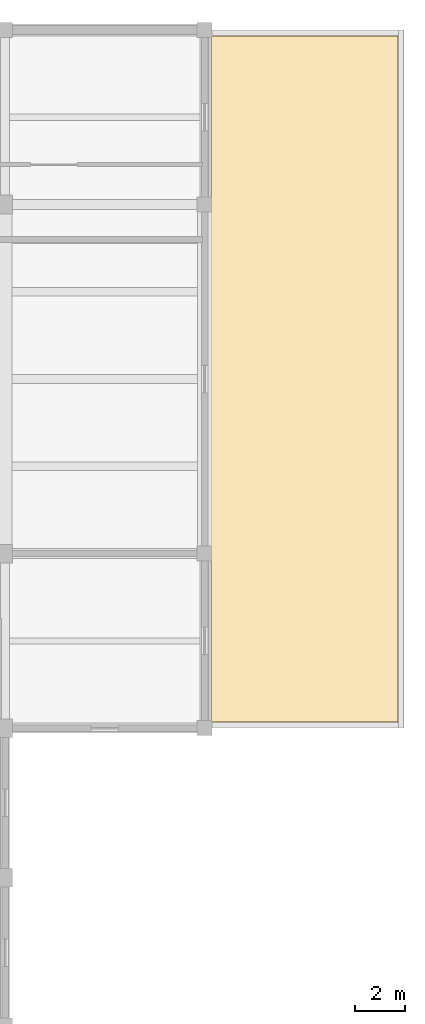
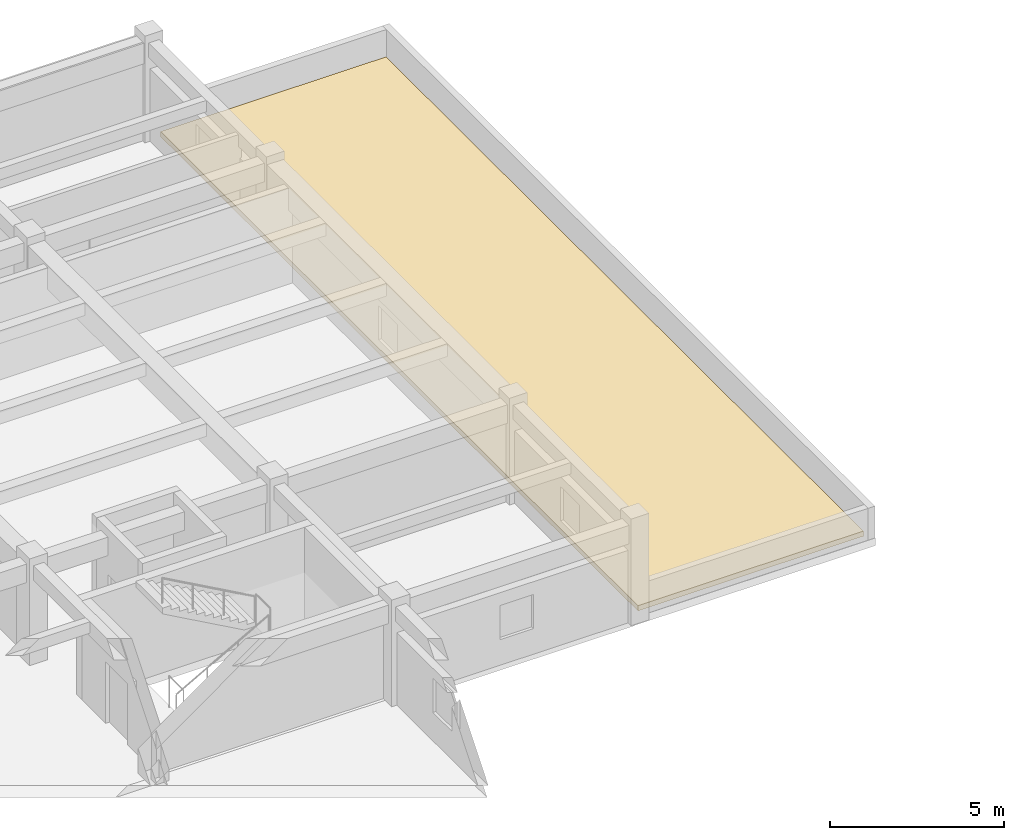
# One storey, part 42 of 42: 1 covering.
"""IFC4 building model written with IfcOpenShell, lengths in metres."""

from ifc_helpers import new_model, si_unit, direction, frame, origin, place, context, subcontext, project, spatial, polyline, outline, extrude, material, layer, layer_set, type_object, element, save


model = new_model("IFC4")

# Units and contexts
model_context = context("Model", 3, precision=1e-05, world=origin(), true_north=direction((0.0, 1.0)))
body_context = subcontext(model_context, "Body", "Model", "MODEL_VIEW")
ifc_project = project(units=[si_unit("LENGTHUNIT", "METRE"), si_unit("AREAUNIT", "SQUARE_METRE"), si_unit("VOLUMEUNIT", "CUBIC_METRE"), si_unit("PLANEANGLEUNIT", "RADIAN"), si_unit("MASSUNIT", "GRAM", prefix="KILO")], contexts=[model_context])

# Site, building, storey
site_placement = place(None, origin())
site = spatial("IfcSite", under=ifc_project, at=site_placement, CompositionType="ELEMENT")
building_placement = place(site_placement, origin())
building = spatial("IfcBuilding", under=site, at=building_placement, Name="Naurynzar Civic Courthouse", CompositionType="ELEMENT")
storey_placement = place(building_placement, frame((0.0, 0.0, 18.300048828125)))
storey = spatial("IfcBuildingStorey", under=building, at=storey_placement, Name="L05", CompositionType="ELEMENT", Elevation=18.300048828125)

# Covering
ifc_material = material(Name="Waterproofing Membrane and Rigid Insulation")
ifc_layer = layer(ifc_material, 0.179931640625)
ifc_layer_set = layer_set([ifc_layer], Name="COV-ROOF-MEMB-180")
covering_type = type_object("IfcCoveringType", Name="COV-ROOF-MEMB-180", PredefinedType="ROOFING", material=ifc_layer_set)
covering_placement = place(storey_placement, origin())
element("IfcCovering", 1, at=covering_placement, inside=storey, type_object=covering_type, Name="Insulated roof waterproofing membrane RM-V5-E5", PredefinedType="ROOFING", context=body_context, shape_type="SweptSolid", body=[
    extrude(outline(polyline([(162.25, 44.25), (169.75, 44.25), (169.75, 71.75), (162.25, 71.75), (162.25, 44.25)])), origin(), (0.0, 0.0, 1.0), 0.179931640625),
])

save(model, "model.ifc")
